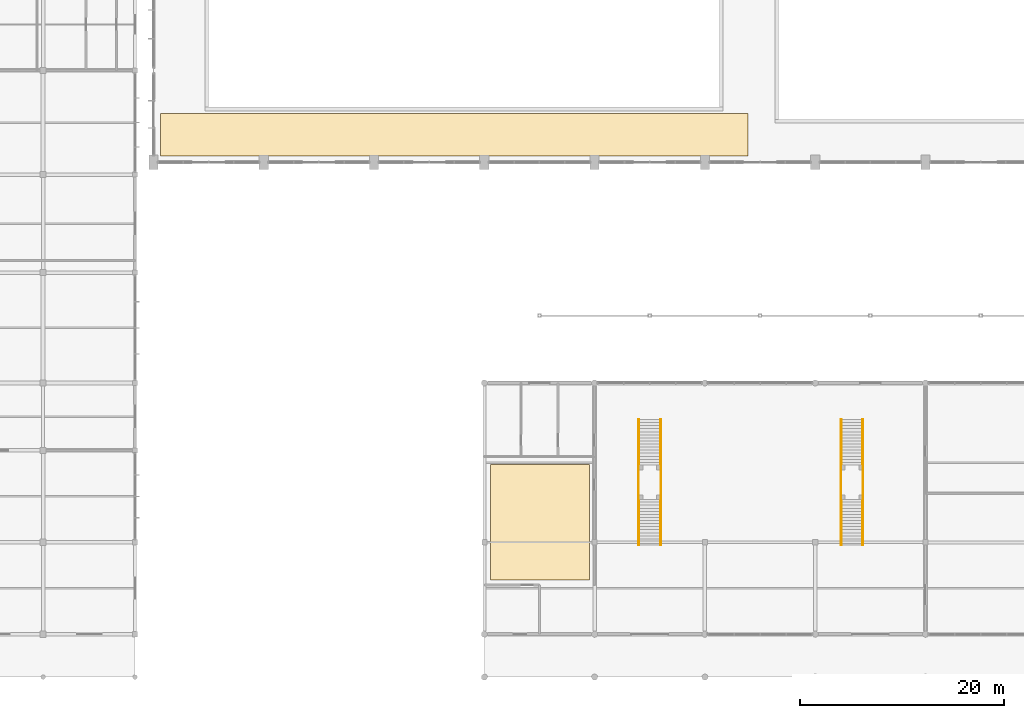
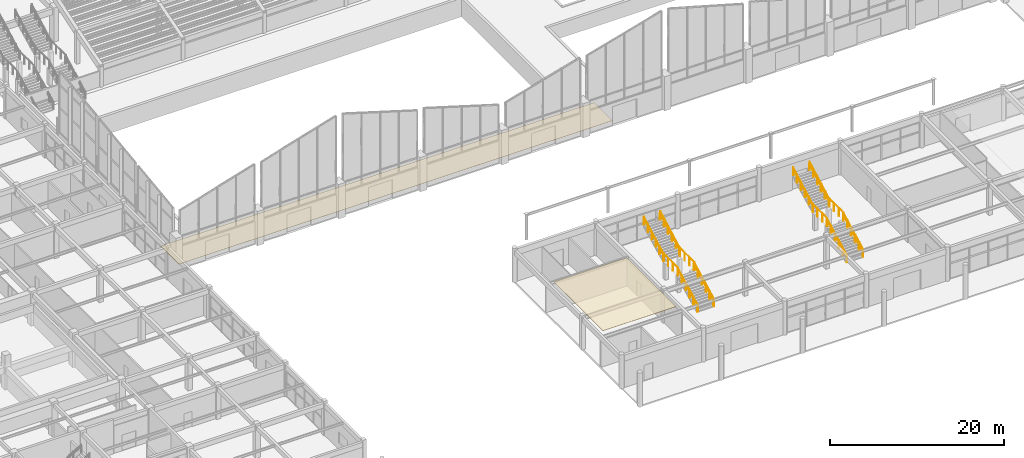
# One storey, part 67 of 82: 20 railings, 2 coverings.
"""IFC4 building model written with IfcOpenShell, lengths in metres."""

from ifc_helpers import new_model, si_unit, direction, frame, origin, origin_2d, place, context, subcontext, project, spatial, polyline, circle, outline, extrude, material, layer, layer_set, type_object, element, save


model = new_model("IFC4")

# Units and contexts
model_context = context("Model", 3, precision=1e-05, world=origin(), true_north=direction((0.0, 1.0)))
body_context = subcontext(model_context, "Body", "Model", "MODEL_VIEW")
ifc_project = project(units=[si_unit("LENGTHUNIT", "METRE"), si_unit("AREAUNIT", "SQUARE_METRE"), si_unit("VOLUMEUNIT", "CUBIC_METRE"), si_unit("PLANEANGLEUNIT", "RADIAN"), si_unit("MASSUNIT", "GRAM", prefix="KILO")], contexts=[model_context])

# Site, building, storey
site_placement = place(None, origin())
site = spatial("IfcSite", under=ifc_project, at=site_placement, CompositionType="ELEMENT")
building_placement = place(site_placement, origin())
building = spatial("IfcBuilding", under=site, at=building_placement, Name="Suirenkawa Promenade Aquatics Centre", CompositionType="ELEMENT")
storey_placement = place(building_placement, origin())
storey = spatial("IfcBuildingStorey", under=building, at=storey_placement, Name="L00", CompositionType="ELEMENT", Elevation=0.0)

# Coverings
ifc_material_1 = material(Name="Anodised aluminium 6063-T6", Category="aluminium")
ifc_layer_1 = layer(ifc_material_1, 0.044921875, Name="Anodised aluminium 6063-T6", Category="aluminium")
ifc_layer_set_1 = layer_set([ifc_layer_1], Name="Anodised aluminium 6063-T6")
covering_type_1 = type_object("IfcCoveringType", Name="CVT-BAFFLE-CEIL", PredefinedType="CEILING", material=ifc_layer_set_1)
covering_1_placement = place(storey_placement, frame((0.0, 0.0, 4.5048828125)))
element("IfcCovering", 1, at=covering_1_placement, inside=storey, type_object=covering_type_1, Name="Acoustic baffle ceiling CLG-01 CLG-001", PredefinedType="CEILING", context=body_context, shape_type="SweptSolid", body=[
    extrude(outline(polyline([(79.800048828125, 9.5), (89.5, 9.5), (89.5, 20.800048828125), (79.800048828125, 20.800048828125), (79.800048828125, 9.5)])), origin(), (0.0, 0.0, 1.0), 0.045166015625),
])
ifc_material_2 = material(Name="Vitrified anti-slip natatorium ceramic tile")
ifc_layer_2 = layer(ifc_material_2, 0.02490234375, Name="Vitrified anti-slip natatorium ceramic tile")
ifc_layer_set_2 = layer_set([ifc_layer_2], Name="Vitrified anti-slip natatorium ceramic tile")
covering_type_2 = type_object("IfcCoveringType", Name="CVT-WET-TILE", PredefinedType="FLOORING", material=ifc_layer_set_2)
covering_2_placement = place(storey_placement, origin())
element("IfcCovering", 2, at=covering_2_placement, inside=storey, type_object=covering_type_2, Name="Floor finish FLR-01 FLR-001", PredefinedType="FLOORING", context=body_context, shape_type="SweptSolid", body=[
    extrude(outline(polyline([(47.5, 51.0), (105.0, 51.0), (105.0, 55.199951171875), (47.5, 55.199951171875), (47.5, 51.0)])), origin(), (0.0, 0.0, 1.0), 0.02490234375),
])

# Railings
ifc_material_3 = material(Name="Marine-grade stainless steel Grade 316L", Category="steel")
railing_type_1 = type_object("IfcRailingType", Name="RLT-GUARD-1120", PredefinedType="GUARDRAIL", material=ifc_material_3)
for number, where, name in (
    (3, (94.304931640625, 12.929931640625, 0.0), "Guardrail GRD-01 RL-0311"),
    (4, (96.4951171875, 12.929931640625, 0.0), "Guardrail GRD-01 RL-0313"),
):
    element("IfcRailing", number, at=place(storey_placement, frame(where)), inside=storey, type_object=railing_type_1, Name=name, PredefinedType="GUARDRAIL", context=body_context, shape_type="SweptSolid", body=[
        extrude(circle(Radius=0.02392578125, at=origin_2d()), frame((0.0, 0.0, 1.09619140625), z_axis=(0.0, 0.882360891967, 0.470573327259), x_axis=(-1.0, 0.0, 0.0)), (0.0, 0.0, 1.0), 5.099853515625),
        extrude(circle(Radius=0.02099609375, at=origin_2d()), origin(), (0.0, 0.0, 1.0), 1.072021484375),
        extrude(circle(Radius=0.02099609375, at=origin_2d()), frame((0.0, 0.89990234375, 0.47998046875)), (0.0, 0.0, 1.0), 1.072021484375),
        extrude(circle(Radius=0.02099609375, at=origin_2d()), frame((0.0, 1.800048828125, 0.9599609375)), (0.0, 0.0, 1.0), 1.072021484375),
        extrude(circle(Radius=0.02099609375, at=origin_2d()), frame((0.0, 2.699951171875, 1.43994140625)), (0.0, 0.0, 1.0), 1.072021484375),
        extrude(circle(Radius=0.02099609375, at=origin_2d()), frame((0.0, 3.60009765625, 1.919921875)), (0.0, 0.0, 1.0), 1.072021484375),
        extrude(circle(Radius=0.02099609375, at=origin_2d()), frame((0.0, 4.5, 2.39990234375)), (0.0, 0.0, 1.0), 1.072021484375),
    ])
for number, where, name in (
    (5, (94.304931640625, 20.719970703125, 2.39990234375), "Guardrail GRD-01 RL-0315"),
    (6, (96.4951171875, 20.719970703125, 2.39990234375), "Guardrail GRD-01 RL-0317"),
):
    element("IfcRailing", number, at=place(storey_placement, frame(where)), inside=storey, type_object=railing_type_1, Name=name, PredefinedType="GUARDRAIL", context=body_context, shape_type="SweptSolid", body=[
        extrude(circle(Radius=0.02392578125, at=origin_2d()), frame((0.0, 0.0, 1.09619140625), z_axis=(0.0, 0.882341014787, 0.470610596591), x_axis=(-1.0, 0.0, 0.0)), (0.0, 0.0, 1.0), 5.10009765625),
        extrude(circle(Radius=0.02099609375, at=origin_2d()), origin(), (0.0, 0.0, 1.0), 1.072021484375),
        extrude(circle(Radius=0.02099609375, at=origin_2d()), frame((0.0, 0.89990234375, 0.47998046875)), (0.0, 0.0, 1.0), 1.072021484375),
        extrude(circle(Radius=0.02099609375, at=origin_2d()), frame((0.0, 1.800048828125, 0.9599609375)), (0.0, 0.0, 1.0), 1.072021484375),
        extrude(circle(Radius=0.02099609375, at=origin_2d()), frame((0.0, 2.699951171875, 1.440185546875)), (0.0, 0.0, 1.0), 1.072021484375),
        extrude(circle(Radius=0.02099609375, at=origin_2d()), frame((0.0, 3.60009765625, 1.920166015625)), (0.0, 0.0, 1.0), 1.072021484375),
        extrude(circle(Radius=0.02099609375, at=origin_2d()), frame((0.0, 4.5, 2.400146484375)), (0.0, 0.0, 1.0), 1.072021484375),
    ])
for number, where, name in (
    (7, (94.304931640625, 17.405029296875, 2.39990234375), "Guardrail GRD-01 RL-0319"),
    (8, (96.4951171875, 17.405029296875, 2.39990234375), "Guardrail GRD-01 RL-0320"),
):
    element("IfcRailing", number, at=place(storey_placement, frame(where)), inside=storey, type_object=railing_type_1, Name=name, PredefinedType="GUARDRAIL", context=body_context, shape_type="SweptSolid", body=[
        extrude(circle(Radius=0.02392578125, at=origin_2d()), frame((0.0, 0.0, 1.09619140625), z_axis=(0.0, 1.0, 0.0), x_axis=(-1.0, 0.0, 0.0)), (0.0, 0.0, 1.0), 3.340087890625),
        extrude(circle(Radius=0.02099609375, at=origin_2d()), origin(), (0.0, 0.0, 1.0), 1.072021484375),
        extrude(circle(Radius=0.02099609375, at=origin_2d()), frame((0.0, 1.11328125, 0.0)), (0.0, 0.0, 1.0), 1.072021484375),
        extrude(circle(Radius=0.02099609375, at=origin_2d()), frame((0.0, 2.226806640625, 0.0)), (0.0, 0.0, 1.0), 1.072021484375),
        extrude(circle(Radius=0.02099609375, at=origin_2d()), frame((0.0, 3.340087890625, 0.0)), (0.0, 0.0, 1.0), 1.072021484375),
    ])
for number, where, name in (
    (9, (114.10498046875, 12.929931640625, 0.0), "Guardrail GRD-01 RL-0321"),
    (10, (116.294921875, 12.929931640625, 0.0), "Guardrail GRD-01 RL-0323"),
):
    element("IfcRailing", number, at=place(storey_placement, frame(where)), inside=storey, type_object=railing_type_1, Name=name, PredefinedType="GUARDRAIL", context=body_context, shape_type="SweptSolid", body=[
        extrude(circle(Radius=0.02392578125, at=origin_2d()), frame((0.0, 0.0, 1.09619140625), z_axis=(0.0, 0.882360891967, 0.470573327259), x_axis=(-1.0, 0.0, 0.0)), (0.0, 0.0, 1.0), 5.099853515625),
        extrude(circle(Radius=0.02099609375, at=origin_2d()), origin(), (0.0, 0.0, 1.0), 1.072021484375),
        extrude(circle(Radius=0.02099609375, at=origin_2d()), frame((0.0, 0.89990234375, 0.47998046875)), (0.0, 0.0, 1.0), 1.072021484375),
        extrude(circle(Radius=0.02099609375, at=origin_2d()), frame((0.0, 1.800048828125, 0.9599609375)), (0.0, 0.0, 1.0), 1.072021484375),
        extrude(circle(Radius=0.02099609375, at=origin_2d()), frame((0.0, 2.699951171875, 1.43994140625)), (0.0, 0.0, 1.0), 1.072021484375),
        extrude(circle(Radius=0.02099609375, at=origin_2d()), frame((0.0, 3.60009765625, 1.919921875)), (0.0, 0.0, 1.0), 1.072021484375),
        extrude(circle(Radius=0.02099609375, at=origin_2d()), frame((0.0, 4.5, 2.39990234375)), (0.0, 0.0, 1.0), 1.072021484375),
    ])
for number, where, name in (
    (11, (114.10498046875, 20.719970703125, 2.39990234375), "Guardrail GRD-01 RL-0325"),
    (12, (116.294921875, 20.719970703125, 2.39990234375), "Guardrail GRD-01 RL-0327"),
):
    element("IfcRailing", number, at=place(storey_placement, frame(where)), inside=storey, type_object=railing_type_1, Name=name, PredefinedType="GUARDRAIL", context=body_context, shape_type="SweptSolid", body=[
        extrude(circle(Radius=0.02392578125, at=origin_2d()), frame((0.0, 0.0, 1.09619140625), z_axis=(0.0, 0.882341014787, 0.470610596591), x_axis=(-1.0, 0.0, 0.0)), (0.0, 0.0, 1.0), 5.10009765625),
        extrude(circle(Radius=0.02099609375, at=origin_2d()), origin(), (0.0, 0.0, 1.0), 1.072021484375),
        extrude(circle(Radius=0.02099609375, at=origin_2d()), frame((0.0, 0.89990234375, 0.47998046875)), (0.0, 0.0, 1.0), 1.072021484375),
        extrude(circle(Radius=0.02099609375, at=origin_2d()), frame((0.0, 1.800048828125, 0.9599609375)), (0.0, 0.0, 1.0), 1.072021484375),
        extrude(circle(Radius=0.02099609375, at=origin_2d()), frame((0.0, 2.699951171875, 1.440185546875)), (0.0, 0.0, 1.0), 1.072021484375),
        extrude(circle(Radius=0.02099609375, at=origin_2d()), frame((0.0, 3.60009765625, 1.920166015625)), (0.0, 0.0, 1.0), 1.072021484375),
        extrude(circle(Radius=0.02099609375, at=origin_2d()), frame((0.0, 4.5, 2.400146484375)), (0.0, 0.0, 1.0), 1.072021484375),
    ])
for number, where, name in (
    (13, (114.10498046875, 17.405029296875, 2.39990234375), "Guardrail GRD-01 RL-0329"),
    (14, (116.294921875, 17.405029296875, 2.39990234375), "Guardrail GRD-01 RL-0330"),
):
    element("IfcRailing", number, at=place(storey_placement, frame(where)), inside=storey, type_object=railing_type_1, Name=name, PredefinedType="GUARDRAIL", context=body_context, shape_type="SweptSolid", body=[
        extrude(circle(Radius=0.02392578125, at=origin_2d()), frame((0.0, 0.0, 1.09619140625), z_axis=(0.0, 1.0, 0.0), x_axis=(-1.0, 0.0, 0.0)), (0.0, 0.0, 1.0), 3.340087890625),
        extrude(circle(Radius=0.02099609375, at=origin_2d()), origin(), (0.0, 0.0, 1.0), 1.072021484375),
        extrude(circle(Radius=0.02099609375, at=origin_2d()), frame((0.0, 1.11328125, 0.0)), (0.0, 0.0, 1.0), 1.072021484375),
        extrude(circle(Radius=0.02099609375, at=origin_2d()), frame((0.0, 2.226806640625, 0.0)), (0.0, 0.0, 1.0), 1.072021484375),
        extrude(circle(Radius=0.02099609375, at=origin_2d()), frame((0.0, 3.340087890625, 0.0)), (0.0, 0.0, 1.0), 1.072021484375),
    ])
railing_type_2 = type_object("IfcRailingType", Name="RLT-HANDRAIL-900", PredefinedType="HANDRAIL", material=ifc_material_3)
for number, where, name in (
    (15, (94.35498046875, 12.929931640625, 0.0), "Handrail HRL-01 RL-0312"),
    (16, (96.445068359375, 12.929931640625, 0.0), "Handrail HRL-01 RL-0314"),
):
    element("IfcRailing", number, at=place(storey_placement, frame(where)), inside=storey, type_object=railing_type_2, Name=name, PredefinedType="HANDRAIL", context=body_context, shape_type="SweptSolid", body=[
        extrude(circle(Radius=0.02392578125, at=origin_2d()), frame((0.0, 0.0, 0.8759765625), z_axis=(0.0, 0.882360891967, 0.470573327259), x_axis=(-1.0, 0.0, 0.0)), (0.0, 0.0, 1.0), 5.099853515625),
        extrude(circle(Radius=0.02099609375, at=origin_2d()), origin(), (0.0, 0.0, 1.0), 0.851806640625),
        extrude(circle(Radius=0.02099609375, at=origin_2d()), frame((0.0, 0.89990234375, 0.47998046875)), (0.0, 0.0, 1.0), 0.851806640625),
        extrude(circle(Radius=0.02099609375, at=origin_2d()), frame((0.0, 1.800048828125, 0.9599609375)), (0.0, 0.0, 1.0), 0.851806640625),
        extrude(circle(Radius=0.02099609375, at=origin_2d()), frame((0.0, 2.699951171875, 1.43994140625)), (0.0, 0.0, 1.0), 0.851806640625),
        extrude(circle(Radius=0.02099609375, at=origin_2d()), frame((0.0, 3.60009765625, 1.919921875)), (0.0, 0.0, 1.0), 0.851806640625),
        extrude(circle(Radius=0.02099609375, at=origin_2d()), frame((0.0, 4.5, 2.39990234375)), (0.0, 0.0, 1.0), 0.851806640625),
    ])
for number, where, name in (
    (17, (94.35498046875, 20.719970703125, 2.39990234375), "Handrail HRL-01 RL-0316"),
    (18, (96.445068359375, 20.719970703125, 2.39990234375), "Handrail HRL-01 RL-0318"),
):
    element("IfcRailing", number, at=place(storey_placement, frame(where)), inside=storey, type_object=railing_type_2, Name=name, PredefinedType="HANDRAIL", context=body_context, shape_type="SweptSolid", body=[
        extrude(circle(Radius=0.02392578125, at=origin_2d()), frame((0.0, 0.0, 0.8759765625), z_axis=(0.0, 0.882341014787, 0.470610596591), x_axis=(-1.0, 0.0, 0.0)), (0.0, 0.0, 1.0), 5.10009765625),
        extrude(circle(Radius=0.02099609375, at=origin_2d()), origin(), (0.0, 0.0, 1.0), 0.851806640625),
        extrude(circle(Radius=0.02099609375, at=origin_2d()), frame((0.0, 0.89990234375, 0.47998046875)), (0.0, 0.0, 1.0), 0.851806640625),
        extrude(circle(Radius=0.02099609375, at=origin_2d()), frame((0.0, 1.800048828125, 0.9599609375)), (0.0, 0.0, 1.0), 0.851806640625),
        extrude(circle(Radius=0.02099609375, at=origin_2d()), frame((0.0, 2.699951171875, 1.440185546875)), (0.0, 0.0, 1.0), 0.851806640625),
        extrude(circle(Radius=0.02099609375, at=origin_2d()), frame((0.0, 3.60009765625, 1.920166015625)), (0.0, 0.0, 1.0), 0.851806640625),
        extrude(circle(Radius=0.02099609375, at=origin_2d()), frame((0.0, 4.5, 2.400146484375)), (0.0, 0.0, 1.0), 0.851806640625),
    ])
for number, where, name in (
    (19, (114.155029296875, 12.929931640625, 0.0), "Handrail HRL-01 RL-0322"),
    (20, (116.2451171875, 12.929931640625, 0.0), "Handrail HRL-01 RL-0324"),
):
    element("IfcRailing", number, at=place(storey_placement, frame(where)), inside=storey, type_object=railing_type_2, Name=name, PredefinedType="HANDRAIL", context=body_context, shape_type="SweptSolid", body=[
        extrude(circle(Radius=0.02392578125, at=origin_2d()), frame((0.0, 0.0, 0.8759765625), z_axis=(0.0, 0.882360891967, 0.470573327259), x_axis=(-1.0, 0.0, 0.0)), (0.0, 0.0, 1.0), 5.099853515625),
        extrude(circle(Radius=0.02099609375, at=origin_2d()), origin(), (0.0, 0.0, 1.0), 0.851806640625),
        extrude(circle(Radius=0.02099609375, at=origin_2d()), frame((0.0, 0.89990234375, 0.47998046875)), (0.0, 0.0, 1.0), 0.851806640625),
        extrude(circle(Radius=0.02099609375, at=origin_2d()), frame((0.0, 1.800048828125, 0.9599609375)), (0.0, 0.0, 1.0), 0.851806640625),
        extrude(circle(Radius=0.02099609375, at=origin_2d()), frame((0.0, 2.699951171875, 1.43994140625)), (0.0, 0.0, 1.0), 0.851806640625),
        extrude(circle(Radius=0.02099609375, at=origin_2d()), frame((0.0, 3.60009765625, 1.919921875)), (0.0, 0.0, 1.0), 0.851806640625),
        extrude(circle(Radius=0.02099609375, at=origin_2d()), frame((0.0, 4.5, 2.39990234375)), (0.0, 0.0, 1.0), 0.851806640625),
    ])
for number, where, name in (
    (21, (114.155029296875, 20.719970703125, 2.39990234375), "Handrail HRL-01 RL-0326"),
    (22, (116.2451171875, 20.719970703125, 2.39990234375), "Handrail HRL-01 RL-0328"),
):
    element("IfcRailing", number, at=place(storey_placement, frame(where)), inside=storey, type_object=railing_type_2, Name=name, PredefinedType="HANDRAIL", context=body_context, shape_type="SweptSolid", body=[
        extrude(circle(Radius=0.02392578125, at=origin_2d()), frame((0.0, 0.0, 0.8759765625), z_axis=(0.0, 0.882341014787, 0.470610596591), x_axis=(-1.0, 0.0, 0.0)), (0.0, 0.0, 1.0), 5.10009765625),
        extrude(circle(Radius=0.02099609375, at=origin_2d()), origin(), (0.0, 0.0, 1.0), 0.851806640625),
        extrude(circle(Radius=0.02099609375, at=origin_2d()), frame((0.0, 0.89990234375, 0.47998046875)), (0.0, 0.0, 1.0), 0.851806640625),
        extrude(circle(Radius=0.02099609375, at=origin_2d()), frame((0.0, 1.800048828125, 0.9599609375)), (0.0, 0.0, 1.0), 0.851806640625),
        extrude(circle(Radius=0.02099609375, at=origin_2d()), frame((0.0, 2.699951171875, 1.440185546875)), (0.0, 0.0, 1.0), 0.851806640625),
        extrude(circle(Radius=0.02099609375, at=origin_2d()), frame((0.0, 3.60009765625, 1.920166015625)), (0.0, 0.0, 1.0), 0.851806640625),
        extrude(circle(Radius=0.02099609375, at=origin_2d()), frame((0.0, 4.5, 2.400146484375)), (0.0, 0.0, 1.0), 0.851806640625),
    ])

save(model, "model.ifc")
